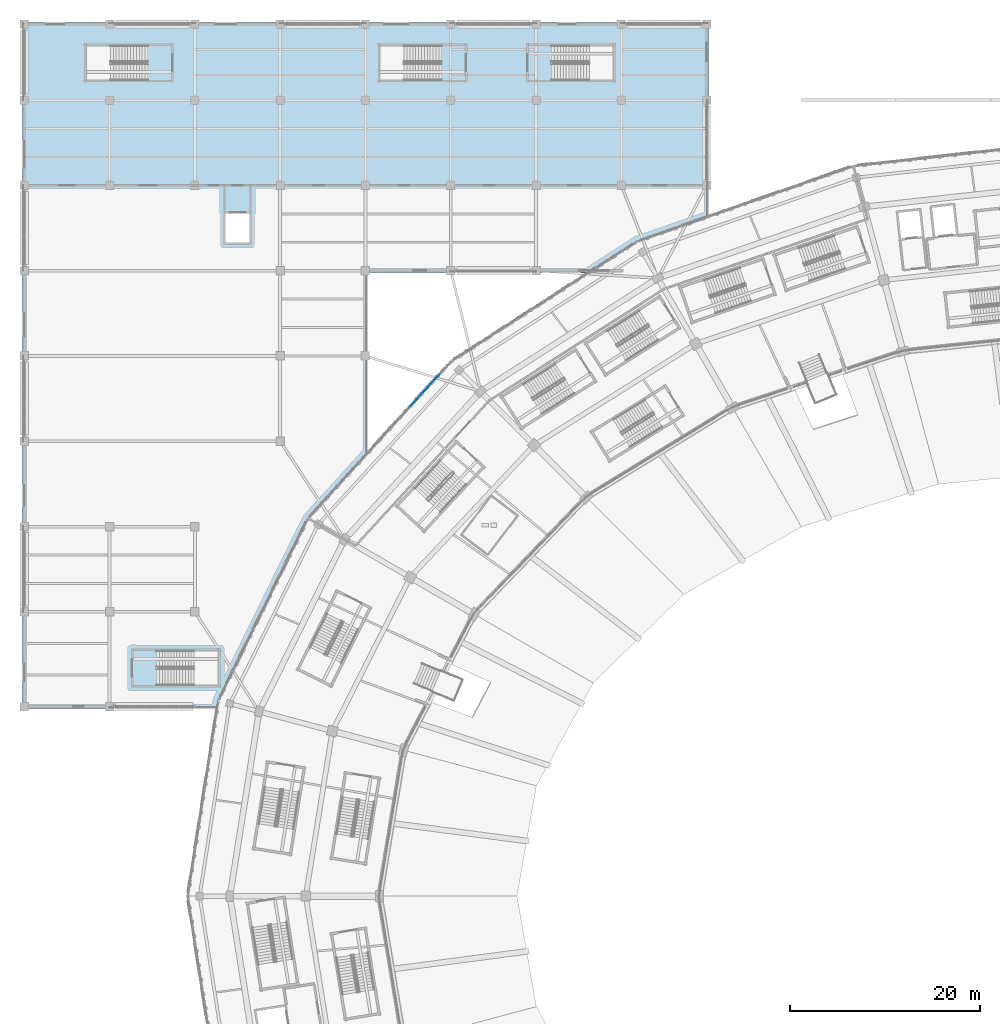
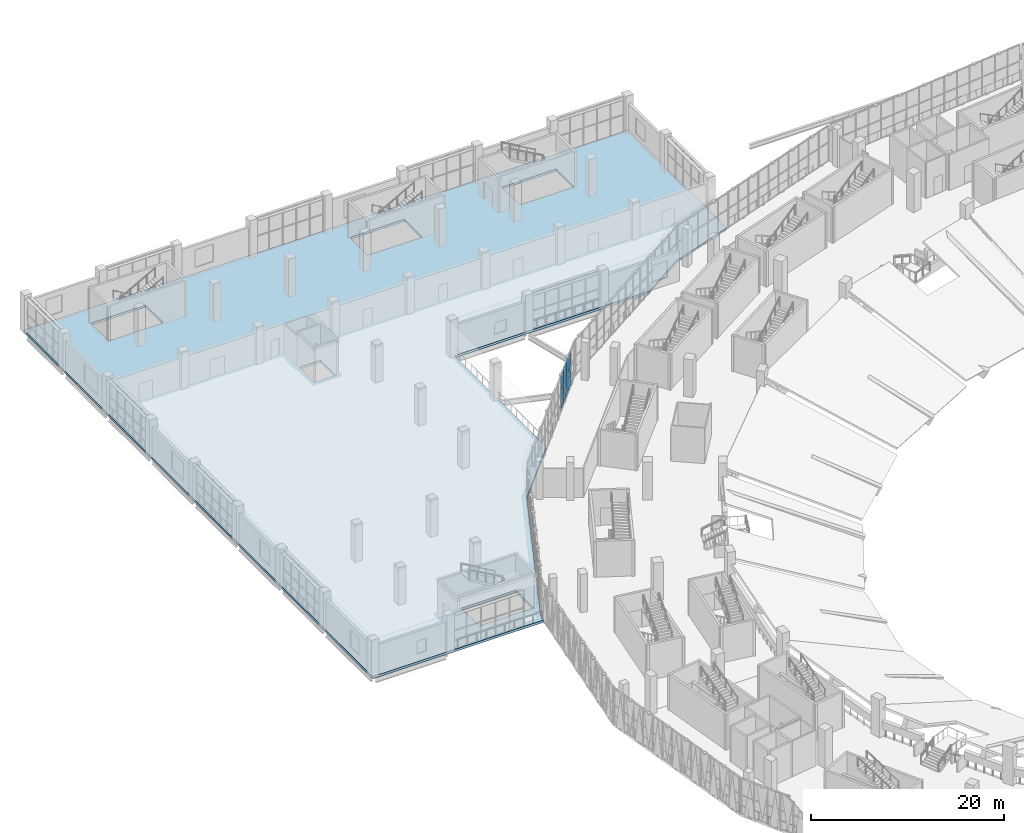
# One storey, part 87 of 183: 6 plates, 1 slab, 1 element without a shape of its own.
"""IFC4 building model written with IfcOpenShell, lengths in metres."""

from ifc_helpers import new_model, si_unit, direction, frame, origin, origin_2d, place, context, subcontext, project, spatial, polyline, rectangle, outline, extrude, material, layer, layer_set, type_object, element, aggregate, save


model = new_model("IFC4")

# Units and contexts
model_context = context("Model", 3, precision=1e-05, world=origin(), true_north=direction((0.0, 1.0)))
body_context = subcontext(model_context, "Body", "Model", "MODEL_VIEW")
ifc_project = project(units=[si_unit("LENGTHUNIT", "METRE"), si_unit("AREAUNIT", "SQUARE_METRE"), si_unit("VOLUMEUNIT", "CUBIC_METRE"), si_unit("PLANEANGLEUNIT", "RADIAN"), si_unit("MASSUNIT", "GRAM", prefix="KILO")], contexts=[model_context])

# Site, building, storey
site_placement = place(None, origin())
site = spatial("IfcSite", under=ifc_project, at=site_placement, CompositionType="ELEMENT")
building_placement = place(site_placement, origin())
building = spatial("IfcBuilding", under=site, at=building_placement, Name="Zevraka Park Crest Stadium", CompositionType="ELEMENT")
storey_placement = place(building_placement, frame((0.0, 0.0, 5.39990234375)))
storey = spatial("IfcBuildingStorey", under=building, at=storey_placement, Name="L01", CompositionType="ELEMENT", Elevation=5.39990234375)

# Curtain wall, plates
ifc_material_1 = material(Name="Anodised architectural aluminium and laminated safety glass", Category="aluminium")
curtain_wall_type = type_object("IfcCurtainWallType", Name="CW03", PredefinedType="NOTDEFINED", material=ifc_material_1)
curtain_wall_placement = place(storey_placement, origin())
curtain_wall = element("IfcCurtainWall", 1, at=curtain_wall_placement, inside=storey, type_object=curtain_wall_type, Name="Unitised Ring Curtain Wall CW03 L01-09", PredefinedType="NOTDEFINED")
ifc_material_2 = material(Name="Solar-control laminated double glazing", Category="glass")
ifc_layer_1 = layer(ifc_material_2, 0.028076171875)
ifc_layer_set_1 = layer_set([ifc_layer_1], Name="Solar-control laminated double glazing")
plate_type = type_object("IfcPlateType", Name="CP03", PredefinedType="CURTAIN_PANEL", material=ifc_layer_set_1)
plate_1_placement = place(storey_placement, frame((43.3369140625, 146.521484375, 0.070068359375), z_axis=(0.0, 0.0, 1.0), x_axis=(-0.673679672672, -0.739023476371, 0.0)))
plate_1 = element("IfcPlate", 2, at=plate_1_placement, type_object=plate_type, Name="CW03 panel 2.1", PredefinedType="CURTAIN_PANEL", context=body_context, shape_type="SweptSolid", body=[
    extrude(rectangle(XDim=1.50732421875, YDim=0.028076171875, at=origin_2d()), origin(), (0.0, 0.0, 1.0), 2.294921875),
])
plate_2_placement = place(storey_placement, frame((43.3369140625, 146.521484375, 2.43505859375), z_axis=(0.0, 0.0, 1.0), x_axis=(-0.673679672672, -0.739023476371, 0.0)))
plate_2 = element("IfcPlate", 3, at=plate_2_placement, type_object=plate_type, Name="CW03 panel 2.2", PredefinedType="CURTAIN_PANEL", context=body_context, shape_type="SweptSolid", body=[
    extrude(rectangle(XDim=1.50732421875, YDim=0.028076171875, at=origin_2d()), origin(), (0.0, 0.0, 1.0), 2.014892578125),
])
plate_3_placement = place(storey_placement, frame((42.2744140625, 145.355712890625, 0.070068359375), z_axis=(0.0, 0.0, 1.0), x_axis=(-0.673679672672, -0.739023476371, 0.0)))
plate_3 = element("IfcPlate", 4, at=plate_3_placement, type_object=plate_type, Name="CW03 panel 3.1", PredefinedType="CURTAIN_PANEL", context=body_context, shape_type="SweptSolid", body=[
    extrude(rectangle(XDim=1.50732421875, YDim=0.028076171875, at=origin_2d()), origin(), (0.0, 0.0, 1.0), 2.294921875),
])
plate_4_placement = place(storey_placement, frame((42.2744140625, 145.355712890625, 2.43505859375), z_axis=(0.0, 0.0, 1.0), x_axis=(-0.673679672672, -0.739023476371, 0.0)))
plate_4 = element("IfcPlate", 5, at=plate_4_placement, type_object=plate_type, Name="CW03 panel 3.2", PredefinedType="CURTAIN_PANEL", context=body_context, shape_type="SweptSolid", body=[
    extrude(rectangle(XDim=1.50732421875, YDim=0.028076171875, at=origin_2d()), origin(), (0.0, 0.0, 1.0), 2.014892578125),
])
plate_5_placement = place(storey_placement, frame((41.211669921875, 144.18994140625, 0.070068359375), z_axis=(0.0, 0.0, 1.0), x_axis=(-0.673679672672, -0.739023476371, 0.0)))
plate_5 = element("IfcPlate", 6, at=plate_5_placement, type_object=plate_type, Name="CW03 panel 4.1", PredefinedType="CURTAIN_PANEL", context=body_context, shape_type="SweptSolid", body=[
    extrude(rectangle(XDim=1.50732421875, YDim=0.028076171875, at=origin_2d()), origin(), (0.0, 0.0, 1.0), 2.294921875),
])
plate_6_placement = place(storey_placement, frame((41.211669921875, 144.18994140625, 2.43505859375), z_axis=(0.0, 0.0, 1.0), x_axis=(-0.673679672672, -0.739023476371, 0.0)))
plate_6 = element("IfcPlate", 7, at=plate_6_placement, type_object=plate_type, Name="CW03 panel 4.2", PredefinedType="CURTAIN_PANEL", context=body_context, shape_type="SweptSolid", body=[
    extrude(rectangle(XDim=1.50732421875, YDim=0.028076171875, at=origin_2d()), origin(), (0.0, 0.0, 1.0), 2.014892578125),
])
aggregate(curtain_wall, [plate_1, plate_2, plate_3, plate_4, plate_5, plate_6])

# Slab
ifc_material_3 = material(Name="Concrete C35/45", Category="concrete")
ifc_layer_2 = layer(ifc_material_3, 0.300048828125)
ifc_layer_set_2 = layer_set([ifc_layer_2], Name="Concrete C35/45")
slab_type = type_object("IfcSlabType", Name="FS01", PredefinedType="FLOOR", material=ifc_layer_set_2)
slab_placement = place(storey_placement, frame((0.0, 0.0, -0.2998046875)))
element("IfcSlab", 8, at=slab_placement, inside=storey, type_object=slab_type, Name="Northwest Garden-Court Shaded Veranda and Community Sports Wing Floor Slab L01-1", PredefinedType="FLOOR", context=body_context, shape_type="SweptSolid", body=[
    extrude(outline(polyline([(-0.175048828125, 184.175048828125), (72.175048828125, 184.175048828125), (72.175048828125, 163.7548828125), (64.597900390625, 161.113037109375), (59.507080078125, 157.824951171875), (36.175048828125, 157.824951171875), (36.175048828125, 138.7900390625), (29.89697265625, 131.903076171875), (20.426025390625, 112.656005859375), (20.294921875, 111.824951171875), (-0.175048828125, 111.824951171875), (-0.175048828125, 184.175048828125)]), holes=[polyline([(13.97998046875, 117.909912109375), (13.97998046875, 114.25), (20.5, 114.25), (20.5, 117.909912109375), (13.97998046875, 117.909912109375)]), polyline([(21.25, 164.050048828125), (21.25, 160.949951171875), (23.75, 160.949951171875), (23.75, 164.050048828125), (21.25, 164.050048828125)]), polyline([(13.02001953125, 178.090087890625), (13.02001953125, 181.75), (6.5, 181.75), (6.5, 178.090087890625), (13.02001953125, 178.090087890625)]), polyline([(37.5, 178.090087890625), (44.02001953125, 178.090087890625), (44.02001953125, 181.75), (37.5, 181.75), (37.5, 178.090087890625)]), polyline([(62.199951171875, 181.75), (55.679931640625, 181.75), (55.679931640625, 178.090087890625), (62.199951171875, 178.090087890625), (62.199951171875, 181.75)])]), origin(), (0.0, 0.0, 1.0), 0.2998046875),
])

save(model, "model.ifc")
